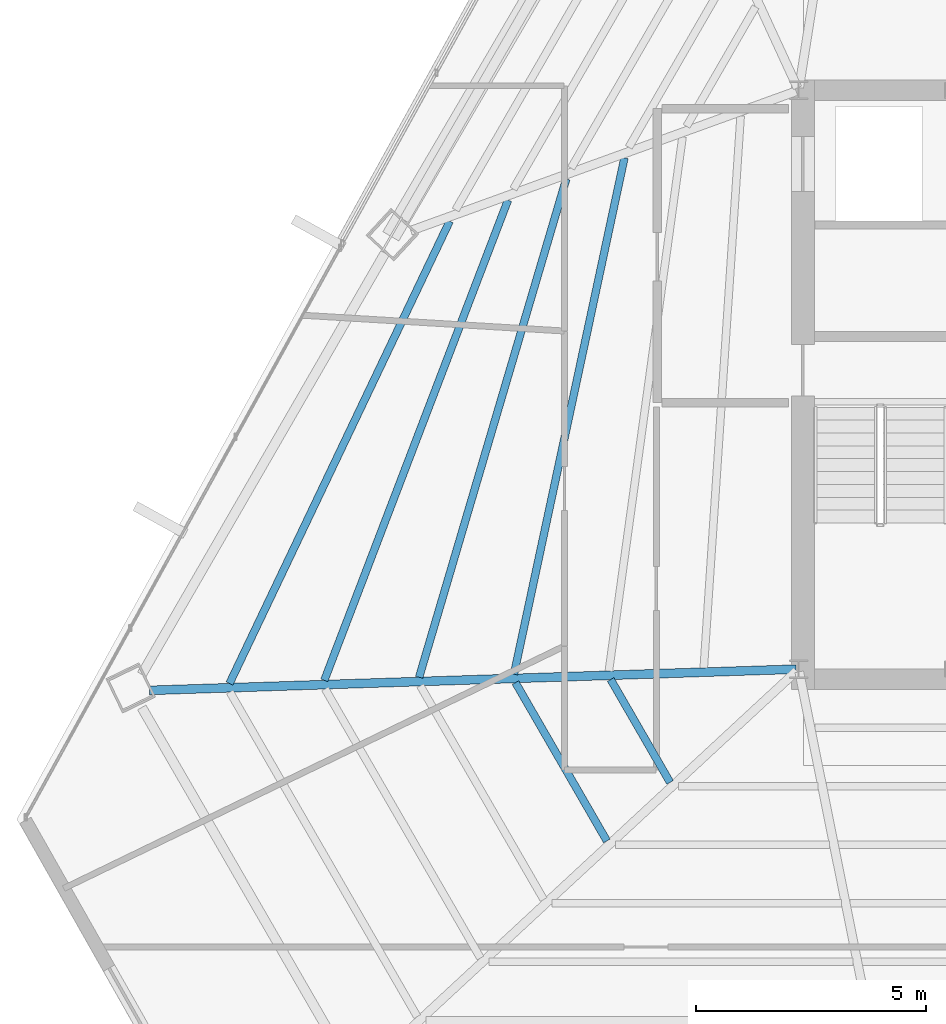
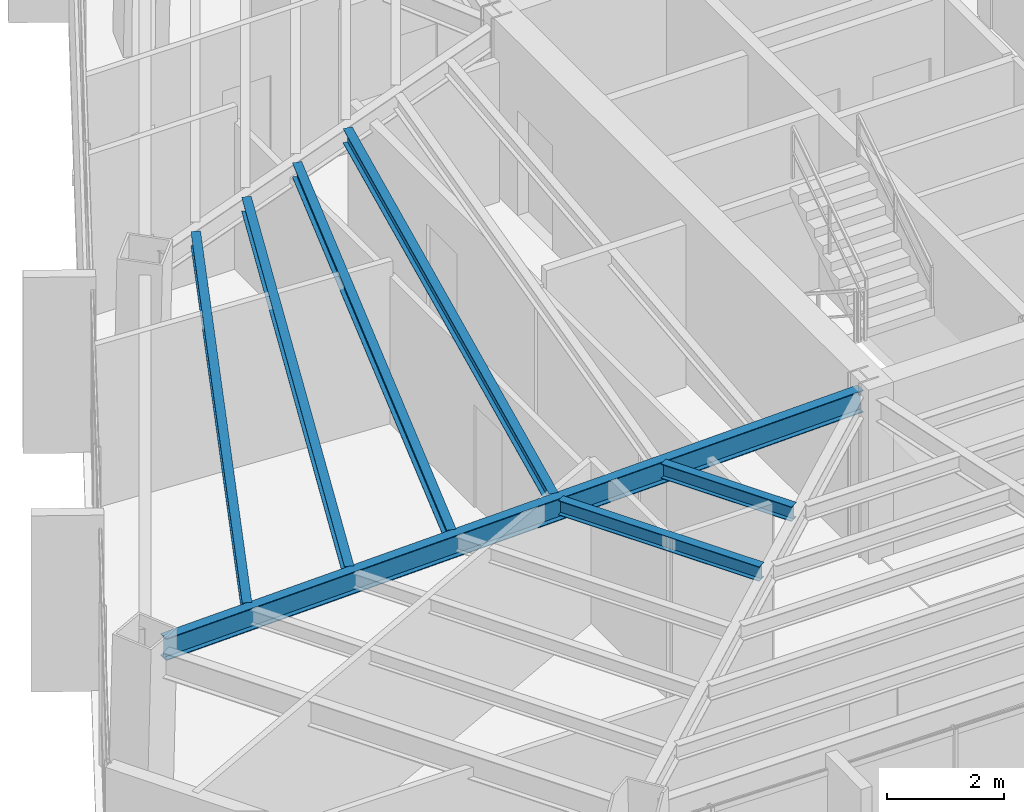
# One storey, part 8 of 41: 7 beams.
"""IFC4 building model written with IfcOpenShell, lengths in metres."""

from ifc_helpers import new_model, si_unit, direction, frame, origin, origin_2d, place, context, subcontext, project, spatial, i_section, extrude, source, transform, mapped, material, material_profile, profile_set, type_object, type_shapes, element, save


model = new_model("IFC4")

# Units and contexts
model_context = context("Model", 3, precision=1e-05, world=origin(), true_north=direction((0.0, 1.0)))
body_context = subcontext(model_context, "Body", "Model", "MODEL_VIEW")
ifc_project = project(units=[si_unit("LENGTHUNIT", "METRE"), si_unit("AREAUNIT", "SQUARE_METRE"), si_unit("VOLUMEUNIT", "CUBIC_METRE"), si_unit("PLANEANGLEUNIT", "RADIAN"), si_unit("MASSUNIT", "GRAM", prefix="KILO")], contexts=[model_context])

# Site, building, storey
site_placement = place(None, origin())
site = spatial("IfcSite", under=ifc_project, at=site_placement, CompositionType="ELEMENT")
building_placement = place(site_placement, origin())
building = spatial("IfcBuilding", under=site, at=building_placement, Name="Caelisora Broadcast Tower", CompositionType="ELEMENT")
storey_placement = place(building_placement, frame((0.0, 0.0, 209.60009765625)))
storey = spatial("IfcBuildingStorey", under=building, at=storey_placement, Name="L55", CompositionType="ELEMENT", Elevation=209.60009765625)

# Beams
ifc_material = material(Name="Steel Grade 350 (AS/NZS 3679.1)", Category="steel")
ifc_material_profile_1 = material_profile(ifc_material, i_section(OverallWidth=0.19091796875, OverallDepth=0.46044921875, WebThickness=0.010009765625, FlangeThickness=0.01611328125, at=origin_2d()), Name="Steel Grade 350 (AS/NZS 3679.1)")
ifc_profile_set_1 = profile_set([ifc_material_profile_1], Name="Steel Grade 350 (AS/NZS 3679.1)")
beam_type_1 = type_object("IfcBeamType", Name="PG06", PredefinedType="BEAM", material=ifc_profile_set_1)
shared_shape_1 = source(origin(), body_context, "Body", "SweptSolid", [
    extrude(i_section(OverallWidth=0.19091796875, OverallDepth=0.46044921875, WebThickness=0.010009765625, FlangeThickness=0.01611328125, at=origin_2d()), origin(), (0.0, 0.0, 1.0), 14.081298828125),
])
type_shapes(beam_type_1, [shared_shape_1])
beam_1_placement = place(storey_placement, frame((30.43994140625, 17.39794921875, 3.169677734375), z_axis=(-0.999462393664, -0.032786028283, 0.0), x_axis=(0.032786028283, -0.999462393664, 0.0)))
element("IfcBeam", 1, at=beam_1_placement, inside=storey, type_object=beam_type_1, Name="L55 beam PG06", PredefinedType="BEAM", context=body_context, shape_type="MappedRepresentation", body=[
    mapped(shared_shape_1, transform((0.0, 0.0, 0.0), scale=1.0)),
])
ifc_material_profile_2 = material_profile(ifc_material, i_section(OverallWidth=0.166015625, OverallDepth=0.30712890625, WebThickness=0.006591796875, FlangeThickness=0.01171875, at=origin_2d()), Name="Steel Grade 350 (AS/NZS 3679.1)")
ifc_profile_set_2 = profile_set([ifc_material_profile_2], Name="Steel Grade 350 (AS/NZS 3679.1)")
beam_type_2 = type_object("IfcBeamType", Name="SB03", PredefinedType="JOIST", material=ifc_profile_set_2)
shared_shape_2 = source(origin(), body_context, "Body", "SweptSolid", [
    extrude(i_section(OverallWidth=0.166015625, OverallDepth=0.30712890625, WebThickness=0.006591796875, FlangeThickness=0.01171875, at=origin_2d()), origin(), (0.0, 0.0, 1.0), 11.4931640625),
])
beam_2_placement = place(storey_placement, frame((26.706298828125, 28.528076171875, 3.246337890625), z_axis=(-0.209236040064, -0.977865164293, 0.0), x_axis=(0.977865164293, -0.209236040064, 0.0)))
element("IfcBeam", 2, at=beam_2_placement, inside=storey, type_object=beam_type_2, Name="L55 beam SB03", PredefinedType="JOIST", context=body_context, shape_type="MappedRepresentation", body=[
    mapped(shared_shape_2, transform((0.0, 0.0, 0.0), scale=1.0)),
])
shared_shape_3 = source(origin(), body_context, "Body", "SweptSolid", [
    extrude(i_section(OverallWidth=0.166015625, OverallDepth=0.30712890625, WebThickness=0.006591796875, FlangeThickness=0.01171875, at=origin_2d()), origin(), (0.0, 0.0, 1.0), 11.310791015625),
])
beam_3_placement = place(storey_placement, frame((25.439453125, 28.069580078125, 3.246337890625), z_axis=(-0.283168824295, -0.959070079268, 0.0), x_axis=(0.959070079268, -0.283168824295, 0.0)))
element("IfcBeam", 3, at=beam_3_placement, inside=storey, type_object=beam_type_2, Name="L55 beam SB03", PredefinedType="JOIST", context=body_context, shape_type="MappedRepresentation", body=[
    mapped(shared_shape_3, transform((0.0, 0.0, 0.0), scale=1.0)),
])
shared_shape_4 = source(origin(), body_context, "Body", "SweptSolid", [
    extrude(i_section(OverallWidth=0.166015625, OverallDepth=0.30712890625, WebThickness=0.006591796875, FlangeThickness=0.01171875, at=origin_2d()), origin(), (0.0, 0.0, 1.0), 11.195068359375),
])
beam_4_placement = place(storey_placement, frame((24.17138671875, 27.6103515625, 3.246337890625), z_axis=(-0.357236513633, -0.93401395778, 0.0), x_axis=(0.93401395778, -0.357236513633, 0.0)))
element("IfcBeam", 4, at=beam_4_placement, inside=storey, type_object=beam_type_2, Name="L55 beam SB03", PredefinedType="JOIST", context=body_context, shape_type="MappedRepresentation", body=[
    mapped(shared_shape_4, transform((0.0, 0.0, 0.0), scale=1.0)),
])
shared_shape_5 = source(origin(), body_context, "Body", "SweptSolid", [
    extrude(i_section(OverallWidth=0.166015625, OverallDepth=0.30712890625, WebThickness=0.006591796875, FlangeThickness=0.01171875, at=origin_2d()), origin(), (0.0, 0.0, 1.0), 11.147216796875),
])
beam_5_placement = place(storey_placement, frame((22.901123046875, 27.150390625, 3.246337890625), z_axis=(-0.429969286303, -0.902843515143, 0.0), x_axis=(0.902843515143, -0.429969286303, 0.0)))
element("IfcBeam", 5, at=beam_5_placement, inside=storey, type_object=beam_type_2, Name="L55 beam SB03", PredefinedType="JOIST", context=body_context, shape_type="MappedRepresentation", body=[
    mapped(shared_shape_5, transform((0.0, 0.0, 0.0), scale=1.0)),
])
shared_shape_6 = source(origin(), body_context, "Body", "SweptSolid", [
    extrude(i_section(OverallWidth=0.166015625, OverallDepth=0.30712890625, WebThickness=0.006591796875, FlangeThickness=0.01171875, at=origin_2d()), origin(), (0.0, 0.0, 1.0), 2.58642578125),
])
beam_6_placement = place(storey_placement, frame((26.406982421875, 17.1728515625, 3.246337890625), z_axis=(0.499986639918, -0.866033117094, 0.0), x_axis=(0.866033117094, 0.499986639918, 0.0)))
element("IfcBeam", 6, at=beam_6_placement, inside=storey, type_object=beam_type_2, Name="L55 beam SB03", PredefinedType="JOIST", context=body_context, shape_type="MappedRepresentation", body=[
    mapped(shared_shape_6, transform((0.0, 0.0, 0.0), scale=1.0)),
])
shared_shape_7 = source(origin(), body_context, "Body", "SweptSolid", [
    extrude(i_section(OverallWidth=0.166015625, OverallDepth=0.30712890625, WebThickness=0.006591796875, FlangeThickness=0.01171875, at=origin_2d()), origin(), (0.0, 0.0, 1.0), 3.979736328125),
])
type_shapes(beam_type_2, [shared_shape_2, shared_shape_3, shared_shape_4, shared_shape_5, shared_shape_6, shared_shape_7])
beam_7_placement = place(storey_placement, frame((24.334228515625, 17.104736328125, 3.246337890625), z_axis=(0.500025132165, -0.866010893236, 0.0), x_axis=(0.866010893236, 0.500025132165, 0.0)))
element("IfcBeam", 7, at=beam_7_placement, inside=storey, type_object=beam_type_2, Name="L55 beam SB03", PredefinedType="JOIST", context=body_context, shape_type="MappedRepresentation", body=[
    mapped(shared_shape_7, transform((0.0, 0.0, 0.0), scale=1.0)),
])

save(model, "model.ifc")
